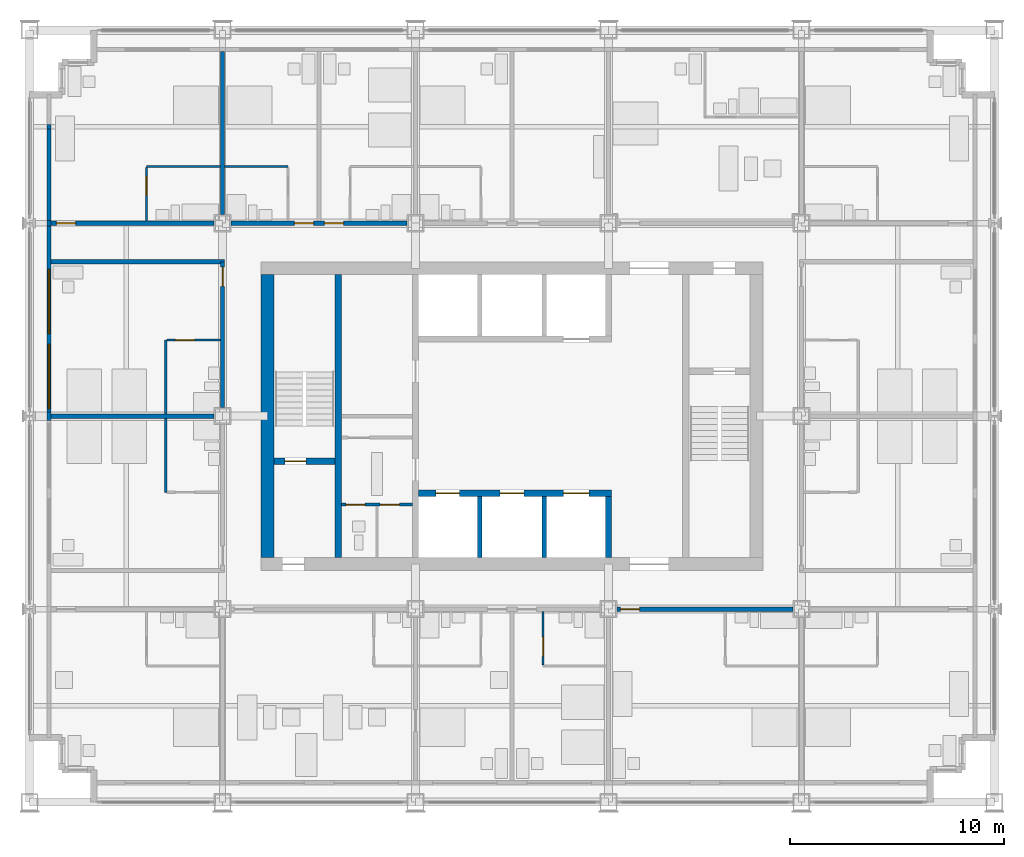
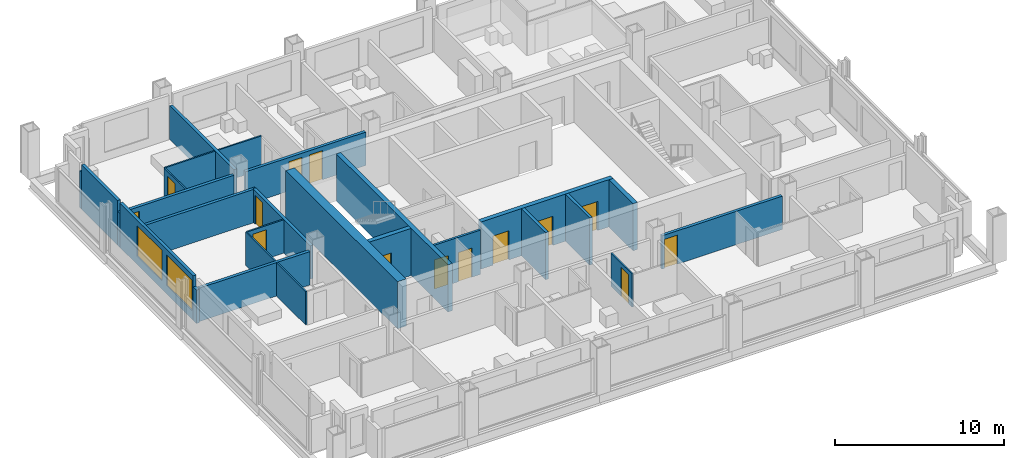
# One storey, part 10 of 16: 27 walls, 14 doors, 2 windows, 16 openings.
"""IFC4 building model written with IfcOpenShell, lengths in metres."""

from ifc_helpers import new_model, si_unit, direction, frame, frame_2d, origin, place, context, subcontext, project, spatial, rectangle, extrude, material, layer, layer_set, type_object, element, fill, save


model = new_model("IFC4")

# Units and contexts
model_context = context("Model", 3, precision=1e-05, world=origin(), true_north=direction((0.0, 1.0)))
body_context = subcontext(model_context, "Body", "Model", "MODEL_VIEW")
ifc_project = project(units=[si_unit("LENGTHUNIT", "METRE"), si_unit("AREAUNIT", "SQUARE_METRE"), si_unit("VOLUMEUNIT", "CUBIC_METRE"), si_unit("PLANEANGLEUNIT", "RADIAN"), si_unit("MASSUNIT", "GRAM", prefix="KILO")], contexts=[model_context])

# Site, building, storey
site_placement = place(None, origin())
site = spatial("IfcSite", under=ifc_project, at=site_placement, CompositionType="ELEMENT")
building_placement = place(site_placement, origin())
building = spatial("IfcBuilding", under=site, at=building_placement, Name="Loomwork Tower", CompositionType="ELEMENT")
storey_placement = place(building_placement, frame((0.0, 0.0, 128.199951171875)))
storey = spatial("IfcBuildingStorey", under=building, at=storey_placement, Name="L34", CompositionType="ELEMENT", Elevation=128.199951171875)

# Wall
ifc_material_1 = material(Name="Concrete 14000 psi (97 MPa)", Category="concrete")
ifc_layer_1 = layer(ifc_material_1, 0.300048828125)
ifc_layer_set_1 = layer_set([ifc_layer_1], Name="Core shear wall 300")
wall_type_1 = type_object("IfcWallType", Name="Core shear wall 300", PredefinedType="SHEAR", material=ifc_layer_set_1)
wall_1_placement = place(storey_placement, frame((14.39990234375, 11.39990234375, 0.0), z_axis=(0.0, 0.0, 1.0), x_axis=(0.0, 1.0, 0.0)))
element("IfcWall", 1, at=wall_1_placement, inside=storey, type_object=wall_type_1, Name="Stair A east wall L34", PredefinedType="SHEAR", context=body_context, shape_type="SweptSolid", body=[
    extrude(rectangle(XDim=13.2001953125, YDim=0.300048828125, at=frame_2d((6.60009765625, 0.0))), origin(), (0.0, 0.0, 1.0), 3.400146484375),
])

# Wall, opening, door
wall_2_placement = place(storey_placement, frame((11.39990234375, 15.89990234375, 0.0), z_axis=(0.0, 0.0, 1.0), x_axis=(1.0, 0.0, 0.0)))
wall_2 = element("IfcWall", 2, at=wall_2_placement, inside=storey, type_object=wall_type_1, Name="Stair A south wall L34", PredefinedType="SHEAR", context=body_context, shape_type="SweptSolid", body=[
    extrude(rectangle(XDim=2.85009765625, YDim=0.300048828125, at=frame_2d((1.425048828125, 0.0))), origin(), (0.0, 0.0, 1.0), 3.400146484375),
])
opening_1_placement = place(wall_2_placement, frame((0.5, 0.0, 0.0)))
opening_1 = element("IfcOpeningElement", 3, at=opening_1_placement, cuts=wall_2, Name="Opening D4", PredefinedType="OPENING", context=body_context, shape_type="SweptSolid", body=[
    extrude(rectangle(XDim=1.0, YDim=2.10009765625, at=frame_2d((0.5, 1.050048828125))), frame((0.0, 0.159912109375, 0.0), z_axis=(0.0, -1.0, 0.0), x_axis=(1.0, 0.0, 0.0)), (0.0, 0.0, 1.0), 0.320068359375),
])
ifc_material_2 = material(Name="Hollow metal door and frame")
door_type_1 = type_object("IfcDoorType", Name="Stair door 1000", OperationType="SINGLE_SWING_RIGHT", PredefinedType="DOOR", material=ifc_material_2)
door_1_placement = place(opening_1_placement, origin())
door_1 = element("IfcDoor", 4, at=door_1_placement, inside=storey, type_object=door_type_1, Name="Stair A door", OperationType="SINGLE_SWING_LEFT", OverallHeight=2.10009765625, OverallWidth=1.0, PredefinedType="DOOR", context=body_context, shape_type="SweptSolid", body=[
    extrude(rectangle(XDim=1.0, YDim=2.10009765625, at=frame_2d((0.5, 1.050048828125))), frame((0.0, 0.02490234375, 0.0), z_axis=(0.0, -1.0, 0.0), x_axis=(1.0, 0.0, 0.0)), (0.0, 0.0, 1.0), 0.050048828125),
])
fill(opening_1, door_1)

# Wall, openings, doors
wall_3_placement = place(storey_placement, frame((18.14990234375, 14.39990234375, 0.0), z_axis=(0.0, 0.0, 1.0), x_axis=(1.0, 0.0, 0.0)))
wall_3 = element("IfcWall", 5, at=wall_3_placement, inside=storey, type_object=wall_type_1, Name="Lift front wall south L34", PredefinedType="SHEAR", context=body_context, shape_type="SweptSolid", body=[
    extrude(rectangle(XDim=9.0, YDim=0.300048828125, at=frame_2d((4.5, 0.0))), origin(), (0.0, 0.0, 1.0), 3.400146484375),
])
opening_2_placement = place(wall_3_placement, frame((0.800048828125, 0.0, 0.0)))
opening_2 = element("IfcOpeningElement", 6, at=opening_2_placement, cuts=wall_3, Name="Opening LD1", PredefinedType="OPENING", context=body_context, shape_type="SweptSolid", body=[
    extrude(rectangle(XDim=1.10009765625, YDim=2.10009765625, at=frame_2d((0.550048828125, 1.050048828125))), frame((0.0, 0.159912109375, 0.0), z_axis=(0.0, -1.0, 0.0), x_axis=(1.0, 0.0, 0.0)), (0.0, 0.0, 1.0), 0.320068359375),
])
opening_3_placement = place(wall_3_placement, frame((3.800048828125, 0.0, 0.0)))
opening_3 = element("IfcOpeningElement", 7, at=opening_3_placement, cuts=wall_3, Name="Opening LD1", PredefinedType="OPENING", context=body_context, shape_type="SweptSolid", body=[
    extrude(rectangle(XDim=1.10009765625, YDim=2.10009765625, at=frame_2d((0.550048828125, 1.050048828125))), frame((0.0, 0.159912109375, 0.0), z_axis=(0.0, -1.0, 0.0), x_axis=(1.0, 0.0, 0.0)), (0.0, 0.0, 1.0), 0.320068359375),
])
opening_4_placement = place(wall_3_placement, frame((6.75, 0.0, 0.0)))
opening_4 = element("IfcOpeningElement", 8, at=opening_4_placement, cuts=wall_3, Name="Opening LD2", PredefinedType="OPENING", context=body_context, shape_type="SweptSolid", body=[
    extrude(rectangle(XDim=1.199951171875, YDim=2.10009765625, at=frame_2d((0.60009765625, 1.050048828125))), frame((0.0, 0.159912109375, 0.0), z_axis=(0.0, -1.0, 0.0), x_axis=(1.0, 0.0, 0.0)), (0.0, 0.0, 1.0), 0.320068359375),
])
ifc_material_3 = material(Name="Hollow metal door and frame")
door_type_2 = type_object("IfcDoorType", Name="Lift landing door 1100", OperationType="SLIDING_TO_LEFT", PredefinedType="DOOR", material=ifc_material_3)
door_2_placement = place(opening_2_placement, origin())
door_2 = element("IfcDoor", 9, at=door_2_placement, inside=storey, type_object=door_type_2, Name="Lift landing door LB1", OperationType="SLIDING_TO_LEFT", OverallHeight=2.10009765625, OverallWidth=1.10009765625, PredefinedType="DOOR", context=body_context, shape_type="SweptSolid", body=[
    extrude(rectangle(XDim=1.10009765625, YDim=2.10009765625, at=frame_2d((0.550048828125, 1.050048828125))), frame((0.0, 0.02490234375, 0.0), z_axis=(0.0, -1.0, 0.0), x_axis=(1.0, 0.0, 0.0)), (0.0, 0.0, 1.0), 0.050048828125),
])
fill(opening_2, door_2)
door_3_placement = place(opening_3_placement, origin())
door_3 = element("IfcDoor", 10, at=door_3_placement, inside=storey, type_object=door_type_2, Name="Lift landing door LB2", OperationType="SLIDING_TO_LEFT", OverallHeight=2.10009765625, OverallWidth=1.10009765625, PredefinedType="DOOR", context=body_context, shape_type="SweptSolid", body=[
    extrude(rectangle(XDim=1.10009765625, YDim=2.10009765625, at=frame_2d((0.550048828125, 1.050048828125))), frame((0.0, 0.02490234375, 0.0), z_axis=(0.0, -1.0, 0.0), x_axis=(1.0, 0.0, 0.0)), (0.0, 0.0, 1.0), 0.050048828125),
])
fill(opening_3, door_3)
ifc_material_4 = material(Name="Hollow metal door and frame")
door_type_3 = type_object("IfcDoorType", Name="Lift landing door 1200", OperationType="SLIDING_TO_LEFT", PredefinedType="DOOR", material=ifc_material_4)
door_4_placement = place(opening_4_placement, origin())
door_4 = element("IfcDoor", 11, at=door_4_placement, inside=storey, type_object=door_type_3, Name="Lift landing door LF1", OperationType="SLIDING_TO_LEFT", OverallHeight=2.10009765625, OverallWidth=1.199951171875, PredefinedType="DOOR", context=body_context, shape_type="SweptSolid", body=[
    extrude(rectangle(XDim=1.199951171875, YDim=2.10009765625, at=frame_2d((0.60009765625, 1.050048828125))), frame((0.0, 0.02490234375, 0.0), z_axis=(0.0, -1.0, 0.0), x_axis=(1.0, 0.0, 0.0)), (0.0, 0.0, 1.0), 0.050048828125),
])
fill(opening_4, door_4)

# Walls
wall_4_placement = place(storey_placement, frame((27.0, 11.39990234375, 0.0), z_axis=(0.0, 0.0, 1.0), x_axis=(0.0, 1.0, 0.0)))
element("IfcWall", 12, at=wall_4_placement, inside=storey, type_object=wall_type_1, Name="Lift shaft end wall south L34", PredefinedType="SHEAR", context=body_context, shape_type="SweptSolid", body=[
    extrude(rectangle(XDim=2.85009765625, YDim=0.300048828125, at=frame_2d((1.425048828125, 0.0))), origin(), (0.0, 0.0, 1.0), 3.400146484375),
])
ifc_material_5 = material(Name="Concrete 14000 psi (97 MPa)", Category="concrete")
ifc_layer_2 = layer(ifc_material_5, 0.60009765625)
ifc_layer_set_2 = layer_set([ifc_layer_2], Name="Core shear wall 600")
wall_type_2 = type_object("IfcWallType", Name="Core shear wall 600", PredefinedType="SHEAR", material=ifc_layer_set_2)
wall_5_placement = place(storey_placement, frame((11.10009765625, 11.39990234375, 0.0), z_axis=(0.0, 0.0, 1.0), x_axis=(0.0, 1.0, 0.0)))
element("IfcWall", 13, at=wall_5_placement, inside=storey, type_object=wall_type_2, Name="Core wall west L34", PredefinedType="SHEAR", context=body_context, shape_type="SweptSolid", body=[
    extrude(rectangle(XDim=13.2001953125, YDim=0.60009765625, at=frame_2d((6.60009765625, 0.0))), origin(), (0.0, 0.0, 1.0), 3.400146484375),
])

# Wall, opening, door
ifc_material_6 = material(Name="Gypsum board on steel studs, one-hour", Category="steel")
ifc_layer_3 = layer(ifc_material_6, 0.199951171875)
ifc_layer_set_3 = layer_set([ifc_layer_3], Name="Corridor wall 200")
wall_type_3 = type_object("IfcWallType", Name="Corridor wall 200", PredefinedType="PARTITIONING", material=ifc_layer_set_3)
wall_6_placement = place(storey_placement, frame((27.39990234375, 9.0, 0.0), z_axis=(0.0, 0.0, 1.0), x_axis=(1.0, 0.0, 0.0)))
wall_6 = element("IfcWall", 14, at=wall_6_placement, inside=storey, type_object=wall_type_3, Name="South corridor wall 4", PredefinedType="PARTITIONING", context=body_context, shape_type="SweptSolid", body=[
    extrude(rectangle(XDim=8.2001953125, YDim=0.199951171875, at=frame_2d((4.10009765625, 0.0))), origin(), (0.0, 0.0, 1.0), 2.405029296875),
])
opening_5_placement = place(wall_6_placement, frame((0.14990234375, 0.0, 0.0)))
opening_5 = element("IfcOpeningElement", 15, at=opening_5_placement, cuts=wall_6, Name="Opening D1", PredefinedType="OPENING", context=body_context, shape_type="SweptSolid", body=[
    extrude(rectangle(XDim=0.89990234375, YDim=2.10009765625, at=frame_2d((0.449951171875, 1.050048828125))), frame((0.0, 0.10986328125, 0.0), z_axis=(0.0, -1.0, 0.0), x_axis=(1.0, 0.0, 0.0)), (0.0, 0.0, 1.0), 0.219970703125),
])
ifc_material_7 = material(Name="Hollow metal door and frame")
door_type_4 = type_object("IfcDoorType", Name="Guest room entry door 900", OperationType="SINGLE_SWING_LEFT", PredefinedType="DOOR", material=ifc_material_7)
door_5_placement = place(opening_5_placement, frame((0.89990234375, 0.0, 0.0), z_axis=(0.0, 0.0, 1.0), x_axis=(-1.0, 0.0, 0.0)))
door_5 = element("IfcDoor", 16, at=door_5_placement, inside=storey, type_object=door_type_4, Name="Guest room entry door L34 5", OperationType="SINGLE_SWING_RIGHT", OverallHeight=2.10009765625, OverallWidth=0.89990234375, PredefinedType="DOOR", context=body_context, shape_type="SweptSolid", body=[
    extrude(rectangle(XDim=0.89990234375, YDim=2.10009765625, at=frame_2d((0.449951171875, 1.050048828125))), frame((0.0, 0.02490234375, 0.0), z_axis=(0.0, -1.0, 0.0), x_axis=(1.0, 0.0, 0.0)), (0.0, 0.0, 1.0), 0.050048828125),
])
fill(opening_5, door_5)

wall_7_placement = place(storey_placement, frame((1.0, 27.0, 0.0), z_axis=(0.0, 0.0, 1.0), x_axis=(1.0, 0.0, 0.0)))
wall_7 = element("IfcWall", 17, at=wall_7_placement, inside=storey, type_object=wall_type_3, Name="North corridor wall 1", PredefinedType="PARTITIONING", context=body_context, shape_type="SweptSolid", body=[
    extrude(rectangle(XDim=7.60009765625, YDim=0.199951171875, at=frame_2d((3.800048828125, 0.0))), origin(), (0.0, 0.0, 1.0), 2.43798828125),
])
opening_6_placement = place(wall_7_placement, frame((0.25, 0.0, 0.0)))
opening_6 = element("IfcOpeningElement", 18, at=opening_6_placement, cuts=wall_7, Name="Opening D1", PredefinedType="OPENING", context=body_context, shape_type="SweptSolid", body=[
    extrude(rectangle(XDim=0.89990234375, YDim=2.10009765625, at=frame_2d((0.449951171875, 1.050048828125))), frame((0.0, 0.10986328125, 0.0), z_axis=(0.0, -1.0, 0.0), x_axis=(1.0, 0.0, 0.0)), (0.0, 0.0, 1.0), 0.219970703125),
])
door_6_placement = place(opening_6_placement, origin())
door_6 = element("IfcDoor", 19, at=door_6_placement, inside=storey, type_object=door_type_4, Name="Guest room entry door L34 7", OperationType="SINGLE_SWING_LEFT", OverallHeight=2.10009765625, OverallWidth=0.89990234375, PredefinedType="DOOR", context=body_context, shape_type="SweptSolid", body=[
    extrude(rectangle(XDim=0.89990234375, YDim=2.10009765625, at=frame_2d((0.449951171875, 1.050048828125))), frame((0.0, 0.02490234375, 0.0), z_axis=(0.0, -1.0, 0.0), x_axis=(1.0, 0.0, 0.0)), (0.0, 0.0, 1.0), 0.050048828125),
])
fill(opening_6, door_6)

# Wall, openings, doors
wall_8_placement = place(storey_placement, frame((9.39990234375, 27.0, 0.0), z_axis=(0.0, 0.0, 1.0), x_axis=(1.0, 0.0, 0.0)))
wall_8 = element("IfcWall", 20, at=wall_8_placement, inside=storey, type_object=wall_type_3, Name="North corridor wall 2", PredefinedType="PARTITIONING", context=body_context, shape_type="SweptSolid", body=[
    extrude(rectangle(XDim=8.2001953125, YDim=0.199951171875, at=frame_2d((4.10009765625, 0.0))), origin(), (0.0, 0.0, 1.0), 2.405029296875),
])
opening_7_placement = place(wall_8_placement, frame((2.949951171875, 0.0, 0.0)))
opening_7 = element("IfcOpeningElement", 21, at=opening_7_placement, cuts=wall_8, Name="Opening D1", PredefinedType="OPENING", context=body_context, shape_type="SweptSolid", body=[
    extrude(rectangle(XDim=0.89990234375, YDim=2.10009765625, at=frame_2d((0.449951171875, 1.050048828125))), frame((0.0, 0.10986328125, 0.0), z_axis=(0.0, -1.0, 0.0), x_axis=(1.0, 0.0, 0.0)), (0.0, 0.0, 1.0), 0.219970703125),
])
opening_8_placement = place(wall_8_placement, frame((4.35009765625, 0.0, 0.0)))
opening_8 = element("IfcOpeningElement", 22, at=opening_8_placement, cuts=wall_8, Name="Opening D1", PredefinedType="OPENING", context=body_context, shape_type="SweptSolid", body=[
    extrude(rectangle(XDim=0.89990234375, YDim=2.10009765625, at=frame_2d((0.449951171875, 1.050048828125))), frame((0.0, 0.10986328125, 0.0), z_axis=(0.0, -1.0, 0.0), x_axis=(1.0, 0.0, 0.0)), (0.0, 0.0, 1.0), 0.219970703125),
])
door_7_placement = place(opening_7_placement, origin())
door_7 = element("IfcDoor", 23, at=door_7_placement, inside=storey, type_object=door_type_4, Name="Guest room entry door L34 8", OperationType="SINGLE_SWING_RIGHT", OverallHeight=2.10009765625, OverallWidth=0.89990234375, PredefinedType="DOOR", context=body_context, shape_type="SweptSolid", body=[
    extrude(rectangle(XDim=0.89990234375, YDim=2.10009765625, at=frame_2d((0.449951171875, 1.050048828125))), frame((0.0, 0.02490234375, 0.0), z_axis=(0.0, -1.0, 0.0), x_axis=(1.0, 0.0, 0.0)), (0.0, 0.0, 1.0), 0.050048828125),
])
fill(opening_7, door_7)
door_8_placement = place(opening_8_placement, origin())
door_8 = element("IfcDoor", 24, at=door_8_placement, inside=storey, type_object=door_type_4, Name="Guest room entry door L34 9", OperationType="SINGLE_SWING_LEFT", OverallHeight=2.10009765625, OverallWidth=0.89990234375, PredefinedType="DOOR", context=body_context, shape_type="SweptSolid", body=[
    extrude(rectangle(XDim=0.89990234375, YDim=2.10009765625, at=frame_2d((0.449951171875, 1.050048828125))), frame((0.0, 0.02490234375, 0.0), z_axis=(0.0, -1.0, 0.0), x_axis=(1.0, 0.0, 0.0)), (0.0, 0.0, 1.0), 0.050048828125),
])
fill(opening_8, door_8)

# Wall, opening, door
wall_9_placement = place(storey_placement, frame((9.0, 18.39990234375, 0.0), z_axis=(0.0, 0.0, 1.0), x_axis=(0.0, 1.0, 0.0)))
wall_9 = element("IfcWall", 25, at=wall_9_placement, inside=storey, type_object=wall_type_3, Name="West corridor wall 2", PredefinedType="PARTITIONING", context=body_context, shape_type="SweptSolid", body=[
    extrude(rectangle(XDim=6.800048828125, YDim=0.199951171875, at=frame_2d((3.39990234375, 0.0))), origin(), (0.0, 0.0, 1.0), 2.405029296875),
])
opening_9_placement = place(wall_9_placement, frame((5.64990234375, 0.0, 0.0)))
opening_9 = element("IfcOpeningElement", 26, at=opening_9_placement, cuts=wall_9, Name="Opening D1", PredefinedType="OPENING", context=body_context, shape_type="SweptSolid", body=[
    extrude(rectangle(XDim=0.89990234375, YDim=2.10009765625, at=frame_2d((0.449951171875, 1.050048828125))), frame((0.0, 0.10986328125, 0.0), z_axis=(0.0, -1.0, 0.0), x_axis=(1.0, 0.0, 0.0)), (0.0, 0.0, 1.0), 0.219970703125),
])
door_9_placement = place(opening_9_placement, origin())
door_9 = element("IfcDoor", 27, at=door_9_placement, inside=storey, type_object=door_type_4, Name="Guest room entry door L34 15", OperationType="SINGLE_SWING_RIGHT", OverallHeight=2.10009765625, OverallWidth=0.89990234375, PredefinedType="DOOR", context=body_context, shape_type="SweptSolid", body=[
    extrude(rectangle(XDim=0.89990234375, YDim=2.10009765625, at=frame_2d((0.449951171875, 1.050048828125))), frame((0.0, 0.02490234375, 0.0), z_axis=(0.0, -1.0, 0.0), x_axis=(1.0, 0.0, 0.0)), (0.0, 0.0, 1.0), 0.050048828125),
])
fill(opening_9, door_9)

# Wall
wall_10_placement = place(storey_placement, frame((1.0, 25.199951171875, 0.0), z_axis=(0.0, 0.0, 1.0), x_axis=(1.0, 0.0, 0.0)))
element("IfcWall", 28, at=wall_10_placement, inside=storey, type_object=wall_type_3, Name="West band end wall N", PredefinedType="PARTITIONING", context=body_context, shape_type="SweptSolid", body=[
    extrude(rectangle(XDim=8.10009765625, YDim=0.199951171875, at=frame_2d((4.050048828125, 0.0))), origin(), (0.0, 0.0, 1.0), 2.404052734375),
])

# Wall, opening, door
ifc_material_8 = material(Name="Cement board on steel studs", Category="steel")
ifc_layer_4 = layer(ifc_material_8, 0.10009765625)
ifc_layer_set_4 = layer_set([ifc_layer_4], Name="En-suite partition 100")
wall_type_4 = type_object("IfcWallType", Name="En-suite partition 100", PredefinedType="PARTITIONING", material=ifc_layer_set_4)
wall_11_placement = place(storey_placement, frame((23.949951171875, 8.89990234375, 0.0), z_axis=(0.0, 0.0, 1.0), x_axis=(0.0, -1.0, 0.0)))
wall_11 = element("IfcWall", 29, at=wall_11_placement, inside=storey, type_object=wall_type_4, Name="En-suite side wall L34 room 4", PredefinedType="PARTITIONING", context=body_context, shape_type="SweptSolid", body=[
    extrude(rectangle(XDim=2.5, YDim=0.10009765625, at=frame_2d((1.25, 0.0))), origin(), (0.0, 0.0, 1.0), 2.404052734375),
])
opening_10_placement = place(wall_11_placement, frame((1.199951171875, 0.0, 0.0)))
opening_10 = element("IfcOpeningElement", 30, at=opening_10_placement, cuts=wall_11, Name="Opening D2", PredefinedType="OPENING", context=body_context, shape_type="SweptSolid", body=[
    extrude(rectangle(XDim=0.89990234375, YDim=2.10009765625, at=frame_2d((0.449951171875, 1.050048828125))), frame((0.0, 0.06005859375, 0.0), z_axis=(0.0, -1.0, 0.0), x_axis=(1.0, 0.0, 0.0)), (0.0, 0.0, 1.0), 0.1201171875),
])
ifc_material_9 = material(Name="Hollow metal door and frame")
door_type_5 = type_object("IfcDoorType", Name="En-suite door 900", OperationType="SINGLE_SWING_LEFT", PredefinedType="DOOR", material=ifc_material_9)
door_10_placement = place(opening_10_placement, origin())
door_10 = element("IfcDoor", 31, at=door_10_placement, inside=storey, type_object=door_type_5, Name="En-suite door room 4", OperationType="SINGLE_SWING_RIGHT", OverallHeight=2.10009765625, OverallWidth=0.89990234375, PredefinedType="DOOR", context=body_context, shape_type="SweptSolid", body=[
    extrude(rectangle(XDim=0.89990234375, YDim=2.10009765625, at=frame_2d((0.449951171875, 1.050048828125))), frame((0.0, 0.02490234375, 0.0), z_axis=(0.0, -1.0, 0.0), x_axis=(1.0, 0.0, 0.0)), (0.0, 0.0, 1.0), 0.050048828125),
])
fill(opening_10, door_10)

# Wall
wall_12_placement = place(storey_placement, frame((5.449951171875, 29.64990234375, 0.0), z_axis=(0.0, 0.0, 1.0), x_axis=(1.0, 0.0, 0.0)))
element("IfcWall", 32, at=wall_12_placement, inside=storey, type_object=wall_type_4, Name="En-suite wall L34 room 7", PredefinedType="PARTITIONING", context=body_context, shape_type="SweptSolid", body=[
    extrude(rectangle(XDim=3.449951171875, YDim=0.10009765625, at=frame_2d((1.72509765625, 0.0))), origin(), (0.0, 0.0, 1.0), 2.43798828125),
])

# Wall, opening, door
wall_13_placement = place(storey_placement, frame((5.449951171875, 27.10009765625, 0.0), z_axis=(0.0, 0.0, 1.0), x_axis=(0.0, 1.0, 0.0)))
wall_13 = element("IfcWall", 33, at=wall_13_placement, inside=storey, type_object=wall_type_4, Name="En-suite side wall L34 room 7", PredefinedType="PARTITIONING", context=body_context, shape_type="SweptSolid", body=[
    extrude(rectangle(XDim=2.5, YDim=0.10009765625, at=frame_2d((1.25, 0.0))), origin(), (0.0, 0.0, 1.0), 2.43798828125),
])
opening_11_placement = place(wall_13_placement, frame((1.199951171875, 0.0, 0.0)))
opening_11 = element("IfcOpeningElement", 34, at=opening_11_placement, cuts=wall_13, Name="Opening D2", PredefinedType="OPENING", context=body_context, shape_type="SweptSolid", body=[
    extrude(rectangle(XDim=0.89990234375, YDim=2.10009765625, at=frame_2d((0.449951171875, 1.050048828125))), frame((0.0, 0.06005859375, 0.0), z_axis=(0.0, -1.0, 0.0), x_axis=(1.0, 0.0, 0.0)), (0.0, 0.0, 1.0), 0.1201171875),
])
door_11_placement = place(opening_11_placement, frame((0.89990234375, 0.0, 0.0), z_axis=(0.0, 0.0, 1.0), x_axis=(-1.0, 0.0, 0.0)))
door_11 = element("IfcDoor", 35, at=door_11_placement, inside=storey, type_object=door_type_5, Name="En-suite door room 7", OperationType="SINGLE_SWING_LEFT", OverallHeight=2.10009765625, OverallWidth=0.89990234375, PredefinedType="DOOR", context=body_context, shape_type="SweptSolid", body=[
    extrude(rectangle(XDim=0.89990234375, YDim=2.10009765625, at=frame_2d((0.449951171875, 1.050048828125))), frame((0.0, 0.02490234375, 0.0), z_axis=(0.0, -1.0, 0.0), x_axis=(1.0, 0.0, 0.0)), (0.0, 0.0, 1.0), 0.050048828125),
])
fill(opening_11, door_11)

# Walls
wall_14_placement = place(storey_placement, frame((9.10009765625, 29.64990234375, 0.0), z_axis=(0.0, 0.0, 1.0), x_axis=(1.0, 0.0, 0.0)))
element("IfcWall", 36, at=wall_14_placement, inside=storey, type_object=wall_type_4, Name="En-suite wall L34 room 8", PredefinedType="PARTITIONING", context=body_context, shape_type="SweptSolid", body=[
    extrude(rectangle(XDim=2.949951171875, YDim=0.10009765625, at=frame_2d((1.47509765625, 0.0))), origin(), (0.0, 0.0, 1.0), 2.43798828125),
])
for number, where, z_axis, x_axis, name in (
    (37, (6.35009765625, 14.449951171875, 0.0), (0.0, 0.0, 1.0), (0.0, 1.0, 0.0), "En-suite wall L34 room 14"),
    (38, (6.35009765625, 18.10009765625, 0.0), (0.0, 0.0, 1.0), (0.0, 1.0, 0.0), "En-suite wall L34 room 15"),
):
    element("IfcWall", number, at=place(storey_placement, frame(where, z_axis=z_axis, x_axis=x_axis)), inside=storey, type_object=wall_type_4, Name=name, PredefinedType="PARTITIONING", context=body_context, shape_type="SweptSolid", body=[
        extrude(rectangle(XDim=3.449951171875, YDim=0.10009765625, at=frame_2d((1.72509765625, 0.0))), origin(), (0.0, 0.0, 1.0), 2.404052734375),
    ])

# Wall, opening, door
wall_15_placement = place(storey_placement, frame((8.89990234375, 21.550048828125, 0.0), z_axis=(0.0, 0.0, 1.0), x_axis=(-1.0, 0.0, 0.0)))
wall_15 = element("IfcWall", 39, at=wall_15_placement, inside=storey, type_object=wall_type_4, Name="En-suite side wall L34 room 15", PredefinedType="PARTITIONING", context=body_context, shape_type="SweptSolid", body=[
    extrude(rectangle(XDim=2.5, YDim=0.10009765625, at=frame_2d((1.25, 0.0))), origin(), (0.0, 0.0, 1.0), 2.404052734375),
])
opening_12_placement = place(wall_15_placement, frame((1.199951171875, 0.0, 0.0)))
opening_12 = element("IfcOpeningElement", 40, at=opening_12_placement, cuts=wall_15, Name="Opening D2", PredefinedType="OPENING", context=body_context, shape_type="SweptSolid", body=[
    extrude(rectangle(XDim=0.89990234375, YDim=2.10009765625, at=frame_2d((0.449951171875, 1.050048828125))), frame((0.0, 0.06005859375, 0.0), z_axis=(0.0, -1.0, 0.0), x_axis=(1.0, 0.0, 0.0)), (0.0, 0.0, 1.0), 0.1201171875),
])
door_12_placement = place(opening_12_placement, origin())
door_12 = element("IfcDoor", 41, at=door_12_placement, inside=storey, type_object=door_type_5, Name="En-suite door room 15", OperationType="SINGLE_SWING_RIGHT", OverallHeight=2.10009765625, OverallWidth=0.89990234375, PredefinedType="DOOR", context=body_context, shape_type="SweptSolid", body=[
    extrude(rectangle(XDim=0.89990234375, YDim=2.10009765625, at=frame_2d((0.449951171875, 1.050048828125))), frame((0.0, 0.02490234375, 0.0), z_axis=(0.0, -1.0, 0.0), x_axis=(1.0, 0.0, 0.0)), (0.0, 0.0, 1.0), 0.050048828125),
])
fill(opening_12, door_12)

# Walls
ifc_material_10 = material(Name="Gypsum board on steel studs, acoustic", Category="steel")
ifc_layer_5 = layer(ifc_material_10, 0.199951171875)
ifc_layer_set_5 = layer_set([ifc_layer_5], Name="Guest room party wall 200")
wall_type_5 = type_object("IfcWallType", Name="Guest room party wall 200", PredefinedType="PARTITIONING", material=ifc_layer_set_5)
wall_16_placement = place(storey_placement, frame((9.0, 27.39990234375, 0.0), z_axis=(0.0, 0.0, 1.0), x_axis=(0.0, 1.0, 0.0)))
element("IfcWall", 42, at=wall_16_placement, inside=storey, type_object=wall_type_5, Name="Guest room party wall N 9", PredefinedType="PARTITIONING", context=body_context, shape_type="SweptSolid", body=[
    extrude(rectangle(XDim=7.60009765625, YDim=0.199951171875, at=frame_2d((3.800048828125, 0.0))), origin(), (0.0, 0.0, 1.0), 2.43798828125),
])
wall_17_placement = place(storey_placement, frame((8.60009765625, 18.0, 0.0), z_axis=(0.0, 0.0, 1.0), x_axis=(-1.0, 0.0, 0.0)))
element("IfcWall", 43, at=wall_17_placement, inside=storey, type_object=wall_type_5, Name="Guest room party wall W 18", PredefinedType="PARTITIONING", context=body_context, shape_type="SweptSolid", body=[
    extrude(rectangle(XDim=7.60009765625, YDim=0.199951171875, at=frame_2d((3.800048828125, 0.0))), origin(), (0.0, 0.0, 1.0), 2.405029296875),
])
ifc_material_11 = material(Name="Insulated steel stud wall with gypsum lining", Category="steel")
ifc_layer_6 = layer(ifc_material_11, 0.199951171875)
ifc_layer_set_6 = layer_set([ifc_layer_6], Name="Inner skin wall 200")
wall_type_6 = type_object("IfcWallType", Name="Inner skin wall 200", PredefinedType="SOLIDWALL", material=ifc_layer_set_6)
wall_18_placement = place(storey_placement, frame((0.89990234375, 17.80615234375, 0.0), z_axis=(0.0, 0.0, 1.0), x_axis=(0.0, 1.0, 0.0)))
element("IfcWall", 44, at=wall_18_placement, inside=storey, type_object=wall_type_6, Name="Inner skin wall W bay 6", PredefinedType="SOLIDWALL", context=body_context, shape_type="SweptSolid", body=[
    extrude(rectangle(XDim=0.3876953125, YDim=0.199951171875, at=frame_2d((0.19384765625, 0.0))), origin(), (0.0, 0.0, 1.0), 2.404052734375),
])

# Wall, openings, windows
wall_19_placement = place(storey_placement, frame((0.89990234375, 18.19384765625, 0.0), z_axis=(0.0, 0.0, 1.0), x_axis=(0.0, 1.0, 0.0)))
wall_19 = element("IfcWall", 45, at=wall_19_placement, inside=storey, type_object=wall_type_6, Name="Inner skin wall W bay 7", PredefinedType="SOLIDWALL", context=body_context, shape_type="SweptSolid", body=[
    extrude(rectangle(XDim=8.6708984375, YDim=0.199951171875, at=frame_2d((4.33544921875, 0.0))), origin(), (0.0, 0.0, 1.0), 3.199951171875),
])
opening_13_placement = place(wall_19_placement, frame((0.15625, 0.0, 0.60009765625)))
opening_13 = element("IfcOpeningElement", 46, at=opening_13_placement, cuts=wall_19, Name="Opening CH1", PredefinedType="OPENING", context=body_context, shape_type="SweptSolid", body=[
    extrude(rectangle(XDim=3.0, YDim=2.199951171875, at=frame_2d((1.5, 1.10009765625))), frame((0.0, 0.10986328125, 0.0), z_axis=(0.0, -1.0, 0.0), x_axis=(1.0, 0.0, 0.0)), (0.0, 0.0, 1.0), 0.219970703125),
])
opening_14_placement = place(wall_19_placement, frame((3.65625, 0.0, 0.60009765625)))
opening_14 = element("IfcOpeningElement", 47, at=opening_14_placement, cuts=wall_19, Name="Opening CH1", PredefinedType="OPENING", context=body_context, shape_type="SweptSolid", body=[
    extrude(rectangle(XDim=3.0, YDim=2.199951171875, at=frame_2d((1.5, 1.10009765625))), frame((0.0, 0.10986328125, 0.0), z_axis=(0.0, -1.0, 0.0), x_axis=(1.0, 0.0, 0.0)), (0.0, 0.0, 1.0), 0.219970703125),
])
ifc_material_12 = material(Name="Aluminium frame with clear insulated glass", Category="aluminium")
window_type = type_object("IfcWindowType", Name="Chicago window 3000", PartitioningType="TRIPLE_PANEL_VERTICAL", PredefinedType="WINDOW", material=ifc_material_12)
window_1_placement = place(opening_13_placement, origin())
window_1 = element("IfcWindow", 48, at=window_1_placement, inside=storey, type_object=window_type, Name="Chicago window L34 bay 12", OverallHeight=2.199951171875, OverallWidth=3.0, PartitioningType="TRIPLE_PANEL_VERTICAL", PredefinedType="WINDOW", context=body_context, shape_type="SweptSolid", body=[
    extrude(rectangle(XDim=3.0, YDim=2.199951171875, at=frame_2d((1.5, 1.10009765625))), frame((0.0, 0.030029296875, 0.0), z_axis=(0.0, -1.0, 0.0), x_axis=(1.0, 0.0, 0.0)), (0.0, 0.0, 1.0), 0.06005859375),
])
fill(opening_13, window_1)
window_2_placement = place(opening_14_placement, origin())
window_2 = element("IfcWindow", 49, at=window_2_placement, inside=storey, type_object=window_type, Name="Chicago window L34 bay 12", OverallHeight=2.199951171875, OverallWidth=3.0, PartitioningType="TRIPLE_PANEL_VERTICAL", PredefinedType="WINDOW", context=body_context, shape_type="SweptSolid", body=[
    extrude(rectangle(XDim=3.0, YDim=2.199951171875, at=frame_2d((1.5, 1.10009765625))), frame((0.0, 0.030029296875, 0.0), z_axis=(0.0, -1.0, 0.0), x_axis=(1.0, 0.0, 0.0)), (0.0, 0.0, 1.0), 0.06005859375),
])
fill(opening_14, window_2)

# Walls
wall_20_placement = place(storey_placement, frame((0.89990234375, 26.86474609375, 0.0), z_axis=(0.0, 0.0, 1.0), x_axis=(0.0, 1.0, 0.0)))
element("IfcWall", 50, at=wall_20_placement, inside=storey, type_object=wall_type_6, Name="Inner skin wall W bay 8", PredefinedType="SOLIDWALL", context=body_context, shape_type="SweptSolid", body=[
    extrude(rectangle(XDim=0.2705078125, YDim=0.199951171875, at=frame_2d((0.13525390625, 0.0))), origin(), (0.0, 0.0, 1.0), 2.43798828125),
])
wall_21_placement = place(storey_placement, frame((0.89990234375, 27.13525390625, 0.0), z_axis=(0.0, 0.0, 1.0), x_axis=(0.0, 1.0, 0.0)))
element("IfcWall", 51, at=wall_21_placement, inside=storey, type_object=wall_type_6, Name="Inner skin wall W bay 9", PredefinedType="SOLIDWALL", context=body_context, shape_type="SweptSolid", body=[
    extrude(rectangle(XDim=4.25732421875, YDim=0.199951171875, at=frame_2d((2.128662109375, 0.0))), origin(), (0.0, 0.0, 1.0), 3.199951171875),
])
wall_22_placement = place(storey_placement, frame((0.89990234375, 31.392578125, 0.0), z_axis=(0.0, 0.0, 1.0), x_axis=(0.0, 1.0, 0.0)))
element("IfcWall", 52, at=wall_22_placement, inside=storey, type_object=wall_type_6, Name="Inner skin wall W bay 10", PredefinedType="SOLIDWALL", context=body_context, shape_type="SweptSolid", body=[
    extrude(rectangle(XDim=0.21484375, YDim=0.199951171875, at=frame_2d((0.107421875, 0.0))), origin(), (0.0, 0.0, 1.0), 2.6611328125),
])
ifc_material_13 = material(Name="Concrete 14000 psi (97 MPa)", Category="concrete")
ifc_layer_7 = layer(ifc_material_13, 0.199951171875)
ifc_layer_set_7 = layer_set([ifc_layer_7], Name="Lift shaft wall 200")
wall_type_7 = type_object("IfcWallType", Name="Lift shaft wall 200", PredefinedType="SHEAR", material=ifc_layer_set_7)
for number, where, z_axis, x_axis, name in (
    (53, (21.0, 11.39990234375, 0.0), (0.0, 0.0, 1.0), (0.0, 1.0, 0.0), "Lift shaft separation wall south 1 L34"),
    (54, (24.0, 11.39990234375, 0.0), (0.0, 0.0, 1.0), (0.0, 1.0, 0.0), "Lift shaft separation wall south 2 L34"),
):
    element("IfcWall", number, at=place(storey_placement, frame(where, z_axis=z_axis, x_axis=x_axis)), inside=storey, type_object=wall_type_7, Name=name, PredefinedType="SHEAR", context=body_context, shape_type="SweptSolid", body=[
        extrude(rectangle(XDim=2.85009765625, YDim=0.199951171875, at=frame_2d((1.425048828125, 0.0))), origin(), (0.0, 0.0, 1.0), 3.400146484375),
    ])

# Wall, openings, doors
ifc_material_14 = material(Name="Gypsum board on steel studs, one-hour", Category="steel")
ifc_layer_8 = layer(ifc_material_14, 0.14990234375)
ifc_layer_set_8 = layer_set([ifc_layer_8], Name="Service partition 150")
wall_type_8 = type_object("IfcWallType", Name="Service partition 150", PredefinedType="PARTITIONING", material=ifc_layer_set_8)
wall_23_placement = place(storey_placement, frame((14.550048828125, 13.875, 0.0), z_axis=(0.0, 0.0, 1.0), x_axis=(1.0, 0.0, 0.0)))
wall_23 = element("IfcWall", 55, at=wall_23_placement, inside=storey, type_object=wall_type_8, Name="Back-of-house partition L34", PredefinedType="PARTITIONING", context=body_context, shape_type="SweptSolid", body=[
    extrude(rectangle(XDim=3.300048828125, YDim=0.14990234375, at=frame_2d((1.64990234375, 0.0))), origin(), (0.0, 0.0, 1.0), 3.199951171875),
])
opening_15_placement = place(wall_23_placement, frame((0.199951171875, 0.0, 0.0)))
opening_15 = element("IfcOpeningElement", 56, at=opening_15_placement, cuts=wall_23, Name="Opening D20", PredefinedType="OPENING", context=body_context, shape_type="SweptSolid", body=[
    extrude(rectangle(XDim=0.89990234375, YDim=2.10009765625, at=frame_2d((0.449951171875, 1.050048828125))), frame((0.0, 0.0849609375, 0.0), z_axis=(0.0, -1.0, 0.0), x_axis=(1.0, 0.0, 0.0)), (0.0, 0.0, 1.0), 0.169921875),
])
opening_16_placement = place(wall_23_placement, frame((1.800048828125, 0.0, 0.0)))
opening_16 = element("IfcOpeningElement", 57, at=opening_16_placement, cuts=wall_23, Name="Opening D20", PredefinedType="OPENING", context=body_context, shape_type="SweptSolid", body=[
    extrude(rectangle(XDim=0.89990234375, YDim=2.10009765625, at=frame_2d((0.449951171875, 1.050048828125))), frame((0.0, 0.0849609375, 0.0), z_axis=(0.0, -1.0, 0.0), x_axis=(1.0, 0.0, 0.0)), (0.0, 0.0, 1.0), 0.169921875),
])
ifc_material_15 = material(Name="Hollow metal door and frame")
door_type_6 = type_object("IfcDoorType", Name="Back-of-house door 900", OperationType="SINGLE_SWING_LEFT", PredefinedType="DOOR", material=ifc_material_15)
door_13_placement = place(opening_15_placement, frame((0.89990234375, 0.0, 0.0), z_axis=(0.0, 0.0, 1.0), x_axis=(-1.0, 0.0, 0.0)))
door_13 = element("IfcDoor", 58, at=door_13_placement, inside=storey, type_object=door_type_6, Name="Back-of-house room door", OperationType="SINGLE_SWING_RIGHT", OverallHeight=2.10009765625, OverallWidth=0.89990234375, PredefinedType="DOOR", context=body_context, shape_type="SweptSolid", body=[
    extrude(rectangle(XDim=0.89990234375, YDim=2.10009765625, at=frame_2d((0.449951171875, 1.050048828125))), frame((0.0, 0.02490234375, 0.0), z_axis=(0.0, -1.0, 0.0), x_axis=(1.0, 0.0, 0.0)), (0.0, 0.0, 1.0), 0.050048828125),
])
fill(opening_15, door_13)
door_14_placement = place(opening_16_placement, frame((0.89990234375, 0.0, 0.0), z_axis=(0.0, 0.0, 1.0), x_axis=(-1.0, 0.0, 0.0)))
door_14 = element("IfcDoor", 59, at=door_14_placement, inside=storey, type_object=door_type_6, Name="Back-of-house room door", OperationType="SINGLE_SWING_RIGHT", OverallHeight=2.10009765625, OverallWidth=0.89990234375, PredefinedType="DOOR", context=body_context, shape_type="SweptSolid", body=[
    extrude(rectangle(XDim=0.89990234375, YDim=2.10009765625, at=frame_2d((0.449951171875, 1.050048828125))), frame((0.0, 0.02490234375, 0.0), z_axis=(0.0, -1.0, 0.0), x_axis=(1.0, 0.0, 0.0)), (0.0, 0.0, 1.0), 0.050048828125),
])
fill(opening_16, door_14)

save(model, "model.ifc")
